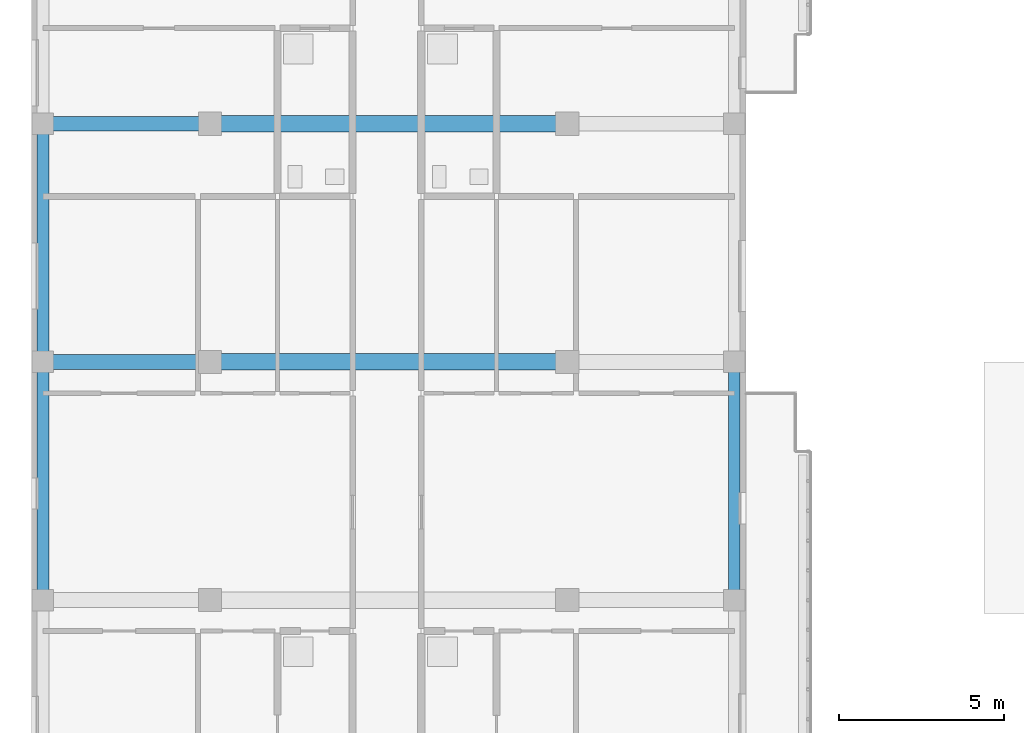
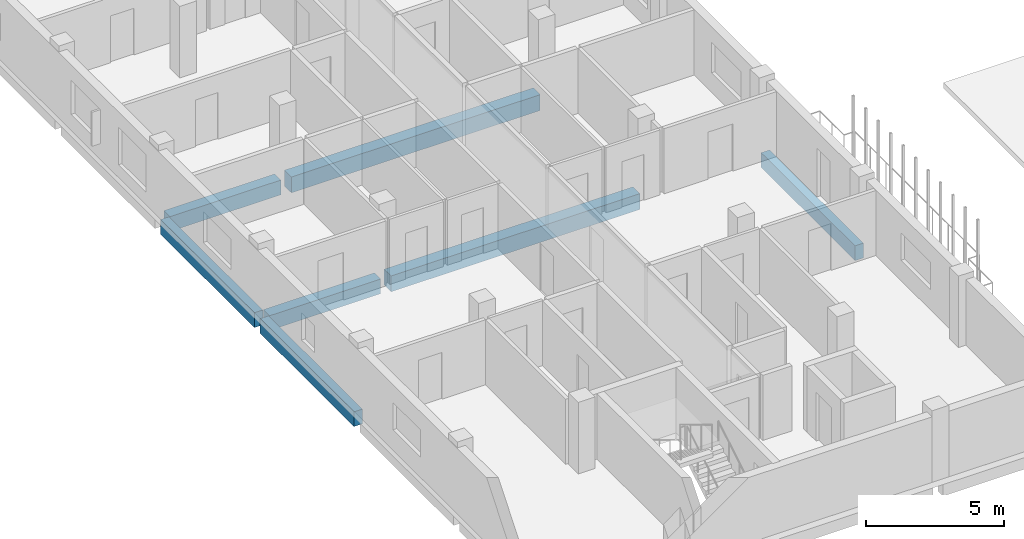
# One storey, part 3 of 51: 7 beams.
"""IFC4 building model written with IfcOpenShell, lengths in metres."""

import ifcopenshell
import ifcopenshell.guid

model = None  # the IFC model being written
_history = None  # IfcOwnerHistory: only IFC2X3 demands one
_inside = {}  # id of a spatial element -> (the spatial element, [elements in it])
_under = {}  # id of a project, library or spatial element -> (it, [spatial elements below it])
_declared = {}  # id of a project -> (the project, [libraries it declares])
_typed = {}  # id of a type object -> (the type object, [elements of that type])
_made_of = {}  # id of a material, layer set ... -> (it, [elements and type objects made of it])


def new_model(schema):
    """Start an empty IFC model of exactly this schema.

    Asked for "IFC4X3", IfcOpenShell would pick the latest addendum, in which some entities
    have other attributes; the version numbers below select the first issue.
    IFC2X3 requires an IfcOwnerHistory on every rooted entity: one is made here for all.
    """
    global model, _history
    if schema == "IFC4X3":
        model = ifcopenshell.file(schema_version=(4, 3, 0, 0))
    else:
        model = ifcopenshell.file(schema=schema)
    _inside.clear()
    _under.clear()
    _declared.clear()
    _typed.clear()
    _made_of.clear()
    _history = None
    if model.schema == "IFC2X3":
        org = make("IfcOrganization", Name="unknown")
        user = make(
            "IfcPersonAndOrganization",
            ThePerson=make("IfcPerson", FamilyName="unknown"),
            TheOrganization=org,
        )
        app = make(
            "IfcApplication",
            ApplicationDeveloper=org,
            Version="unknown",
            ApplicationFullName="unknown",
            ApplicationIdentifier="unknown",
        )
        _history = make(
            "IfcOwnerHistory",
            OwningUser=user,
            OwningApplication=app,
            ChangeAction="ADDED",
            CreationDate=0,
        )
    return model


def make(cls, **values):
    """One entity of the class cls with the attributes given. An attribute that is None is left unset."""
    return model.create_entity(
        cls, **{name: value for name, value in values.items() if value is not None}
    )


def rooted(cls, **values):
    """An entity with a GlobalId (a new one), such as an element, a storey or a relation."""
    return make(cls, GlobalId=ifcopenshell.guid.new(), OwnerHistory=_history, **values)


def si_unit(unit_type, name, prefix=None):
    """IfcSIUnit, for example si_unit("LENGTHUNIT", "METRE", prefix="MILLI")."""
    return make("IfcSIUnit", UnitType=unit_type, Prefix=prefix, Name=name)


def derived_unit(unit_type, elements):
    """IfcDerivedUnit: a product of units, each with its exponent."""
    return make(
        "IfcDerivedUnit",
        Elements=[
            make("IfcDerivedUnitElement", Unit=unit, Exponent=power)
            for unit, power in elements
        ],
        UnitType=unit_type,
    )


def assignment(units):
    """IfcUnitAssignment: the units of a project."""
    return None if units is None else make("IfcUnitAssignment", Units=units)


def point(xyz):
    """IfcCartesianPoint."""
    return None if xyz is None else make("IfcCartesianPoint", Coordinates=xyz)


def direction(xyz):
    """IfcDirection."""
    return None if xyz is None else make("IfcDirection", DirectionRatios=xyz)


def frame(location, z_axis=None, x_axis=None):
    """IfcAxis2Placement3D, a coordinate frame: its origin and axes. An axis left out is left unset."""
    return make(
        "IfcAxis2Placement3D",
        Location=point(location),
        Axis=direction(z_axis),
        RefDirection=direction(x_axis),
    )


def frame_2d(location, x_axis=None):
    """IfcAxis2Placement2D, a coordinate frame in the plane: its origin and x axis."""
    return make(
        "IfcAxis2Placement2D", Location=point(location), RefDirection=direction(x_axis)
    )


def origin():
    """The frame at (0, 0, 0) with its axes left unset."""
    return frame((0.0, 0.0, 0.0))


def origin_2d():
    """The frame at (0, 0) in the plane with its x axis left unset."""
    return frame_2d((0.0, 0.0))


def place(relative_to, where):
    """IfcLocalPlacement: puts the frame where relative to a parent placement (None: the world)."""
    return make(
        "IfcLocalPlacement", PlacementRelTo=relative_to, RelativePlacement=where
    )


def context(
    kind, dimensions, precision=None, world=None, true_north=None, identifier=None
):
    """IfcGeometricRepresentationContext, for example the 3D "Model" context."""
    return make(
        "IfcGeometricRepresentationContext",
        ContextIdentifier=identifier,
        ContextType=kind,
        CoordinateSpaceDimension=dimensions,
        Precision=precision,
        WorldCoordinateSystem=world,
        TrueNorth=true_north,
    )


def subcontext(parent, identifier, kind, view, scale=None):
    """IfcGeometricRepresentationSubContext, for example "Body" below "Model"."""
    return make(
        "IfcGeometricRepresentationSubContext",
        ContextIdentifier=identifier,
        ContextType=kind,
        ParentContext=parent,
        TargetScale=scale,
        TargetView=view,
    )


def project(units=None, contexts=None):
    """IfcProject with its units and contexts."""
    return rooted(
        "IfcProject",
        Name="project",
        RepresentationContexts=contexts,
        UnitsInContext=assignment(units),
    )


def spatial(cls, under=None, at=None, **own):
    """A site, building, storey or space (cls), placed at a placement, below another one or the project."""
    s = rooted(cls, ObjectPlacement=at, **own)
    if under is not None:
        _under.setdefault(under.id(), (under, []))[1].append(s)
    return s


def profile(cls, at=None, kind="AREA", **sizes):
    """A parametric profile (cls). Its sizes go by their IFC names, for example OverallWidth=200.0."""
    return make(cls, ProfileType=kind, Position=at, **sizes)


def rectangle(**sizes):
    """IfcRectangleProfileDef."""
    return profile("IfcRectangleProfileDef", **sizes)


def extrude(swept, where, along, depth):
    """IfcExtrudedAreaSolid: the profile swept, set in the frame where, extruded along a direction by depth."""
    return make(
        "IfcExtrudedAreaSolid",
        SweptArea=swept,
        Position=where,
        ExtrudedDirection=direction(along),
        Depth=depth,
    )


def shape(context_of_items, identifier, shape_type, items):
    """IfcShapeRepresentation: the items that make up one representation, for example the "Body"."""
    return make(
        "IfcShapeRepresentation",
        ContextOfItems=context_of_items,
        RepresentationIdentifier=identifier,
        RepresentationType=shape_type,
        Items=items,
    )


def material(Name=None, Category=None):
    """IfcMaterial."""
    return make("IfcMaterial", Name=Name, Category=Category)


def material_profile(
    of_material, cross_section, Name=None, Category=None, Priority=None
):
    """IfcMaterialProfile: a cross section and its material."""
    return make(
        "IfcMaterialProfile",
        Name=Name,
        Material=of_material,
        Profile=cross_section,
        Priority=Priority,
        Category=Category,
    )


def profile_set(profiles, Name=None, composite=None):
    """IfcMaterialProfileSet."""
    return make(
        "IfcMaterialProfileSet",
        Name=Name,
        MaterialProfiles=profiles,
        CompositeProfile=composite,
    )


def made_of(thing, what):
    """Note that an element or type object is made of a material, layer set ...; save() writes the relation."""
    if what is not None:
        _made_of.setdefault(what.id(), (what, []))[1].append(thing)
    return thing


def type_object(cls, material=None, **own):
    """A type object (cls), such as IfcWallType, which elements share."""
    return made_of(rooted(cls, **own), material)


def element(
    cls,
    number,
    at=None,
    inside=None,
    cuts=None,
    type_object=None,
    material=None,
    context=None,
    identifier="Body",
    shape_type=None,
    held_by="IfcProductDefinitionShape",
    body=None,
    shapes=None,
    **own,
):
    """One element of the class cls, such as IfcWall. Its Tag is "e" and its number.

    at: its placement. inside: the storey or other place that contains it. cuts: it is an
    opening in that element (IfcRelVoidsElement). A single representation is given by context,
    identifier, shape_type and body (its items); several are given by shapes. held_by: the class
    of the entity that holds the representations. save() writes the other relations.
    """
    e = rooted(cls, Tag="e%d" % number, ObjectPlacement=at, **own)
    if body is not None:
        shapes = [shape(context, identifier, shape_type, body)]
    if shapes is not None:
        e.Representation = make(held_by, Representations=shapes)
    if inside is not None:
        _inside.setdefault(inside.id(), (inside, []))[1].append(e)
    if cuts is not None:
        rooted(
            "IfcRelVoidsElement", RelatingBuildingElement=cuts, RelatedOpeningElement=e
        )
    if type_object is not None:
        _typed.setdefault(type_object.id(), (type_object, []))[1].append(e)
    return made_of(e, material)


def aggregate(whole, parts):
    """IfcRelAggregates: a whole, such as a stair, and the parts it consists of."""
    return rooted("IfcRelAggregates", RelatingObject=whole, RelatedObjects=parts)


def save(model, path):
    """Write the relations noted so far, then the file.

    IfcRelAggregates (storeys below a building ...), IfcRelContainedInSpatialStructure (elements
    in a storey), IfcRelDefinesByType, IfcRelAssociatesMaterial and IfcRelDeclares: one each for
    every whole, place, type object, material and project.
    """
    for whole, parts in _under.values():
        aggregate(whole, parts)
    for where, things in _inside.values():
        rooted(
            "IfcRelContainedInSpatialStructure",
            RelatedElements=things,
            RelatingStructure=where,
        )
    for kind, things in _typed.values():
        rooted("IfcRelDefinesByType", RelatedObjects=things, RelatingType=kind)
    for what, things in _made_of.values():
        rooted("IfcRelAssociatesMaterial", RelatedObjects=things, RelatingMaterial=what)
    for by, libraries in _declared.values():
        rooted("IfcRelDeclares", RelatingContext=by, RelatedDefinitions=libraries)
    model.write(path)


model = new_model("IFC4")

# Units and contexts
model_context = context("Model", 3, precision=1e-05, world=origin(), true_north=direction((0.0, 1.0)))
body_context = subcontext(model_context, "Body", "Model", "MODEL_VIEW")
ifc_project = project(units=[si_unit("LENGTHUNIT", "METRE"), si_unit("AREAUNIT", "SQUARE_METRE"), si_unit("VOLUMEUNIT", "CUBIC_METRE"), si_unit("PLANEANGLEUNIT", "RADIAN"), si_unit("MASSUNIT", "GRAM", prefix="KILO"), derived_unit("THERMALTRANSMITTANCEUNIT", [(si_unit("MASSUNIT", "GRAM", prefix="KILO"), 1), (si_unit("TIMEUNIT", "SECOND"), -3), (si_unit("THERMODYNAMICTEMPERATUREUNIT", "KELVIN"), -1)])], contexts=[model_context])

# Site, building, storey
site_placement = place(None, origin())
site = spatial("IfcSite", under=ifc_project, at=site_placement, CompositionType="ELEMENT")
building_placement = place(site_placement, origin())
building = spatial("IfcBuilding", under=site, at=building_placement, Name="Ochrekiln Boulevard Commons", CompositionType="ELEMENT")
storey_placement = place(building_placement, frame((0.0, 0.0, 15.22509765625)))
storey = spatial("IfcBuildingStorey", under=building, at=storey_placement, Name="L04", CompositionType="ELEMENT", Elevation=15.22509765625)

# Beams
ifc_material_1 = material(Name="Concrete C35/45", Category="concrete")
ifc_material_profile_1 = material_profile(ifc_material_1, rectangle(XDim=0.449951171875, YDim=0.64990234375, at=origin_2d()), Name="RC-BM-450x650")
ifc_profile_set_1 = profile_set([ifc_material_profile_1], Name="Concrete C35/45")
beam_type_1 = type_object("IfcBeamType", Name="BM-RC-450x650", PredefinedType="BEAM", material=ifc_profile_set_1)
for number, where, z_axis, x_axis, name in (
    (1, (0.56005859375, 21.60009765625, -0.585205078125), (1.0, 0.0, 0.0), (0.0, 1.0, 0.0), "Block D L04 Beam B-4565 X9"),
    (2, (0.56005859375, 28.800048828125, -0.585205078125), (1.0, 0.0, 0.0), (0.0, 1.0, 0.0), "Block D L04 Beam B-4565 X12"),
):
    element("IfcBeam", number, at=place(storey_placement, frame(where, z_axis=z_axis, x_axis=x_axis)), inside=storey, type_object=beam_type_1, Name=name, PredefinedType="BEAM", context=body_context, shape_type="SweptSolid", body=[
        extrude(rectangle(XDim=0.449951171875, YDim=0.64990234375, at=origin_2d()), origin(), (0.0, 0.0, 1.0), 4.6298828125),
    ])
ifc_material_2 = material(Name="Concrete C40/50", Category="concrete")
ifc_material_profile_2 = material_profile(ifc_material_2, rectangle(XDim=0.5, YDim=0.699951171875, at=origin_2d()), Name="RC-BM-500x700")
ifc_profile_set_2 = profile_set([ifc_material_profile_2], Name="Concrete C40/50")
beam_type_2 = type_object("IfcBeamType", Name="BM-RC-500x700", PredefinedType="BEAM", material=ifc_profile_set_2)
for number, where, z_axis, x_axis, name in (
    (3, (5.610107421875, 21.60009765625, -0.610107421875), (1.0, 0.0, 0.0), (0.0, 1.0, 0.0), "Block D L04 Beam B-5070 X10"),
    (4, (5.610107421875, 28.800048828125, -0.610107421875), (1.0, 0.0, 0.0), (0.0, 1.0, 0.0), "Block D L04 Beam B-5070 X13"),
):
    element("IfcBeam", number, at=place(storey_placement, frame(where, z_axis=z_axis, x_axis=x_axis)), inside=storey, type_object=beam_type_2, Name=name, PredefinedType="BEAM", context=body_context, shape_type="SweptSolid", body=[
        extrude(rectangle(XDim=0.5, YDim=0.699951171875, at=origin_2d()), origin(), (0.0, 0.0, 1.0), 10.3798828125),
    ])
ifc_material_profile_3 = material_profile(ifc_material_2, rectangle(XDim=0.35009765625, YDim=0.64990234375, at=origin_2d()), Name="RC-SPN-350x650")
ifc_profile_set_3 = profile_set([ifc_material_profile_3], Name="Concrete C40/50")
beam_type_3 = type_object("IfcBeamType", Name="SPN-RC-350x650", PredefinedType="SPANDREL", material=ifc_profile_set_3)
beam_1_placement = place(storey_placement, frame((0.35009765625, 14.610107421875, -0.585205078125), z_axis=(0.0, 1.0, 0.0), x_axis=(-1.0, 0.0, 0.0)))
element("IfcBeam", 5, at=beam_1_placement, inside=storey, type_object=beam_type_3, Name="Block D L04 Beam SP-3565 Y25", PredefinedType="SPANDREL", context=body_context, shape_type="SweptSolid", body=[
    extrude(rectangle(XDim=0.35009765625, YDim=0.64990234375, at=origin_2d()), origin(), (0.0, 0.0, 1.0), 6.77978515625),
])
beam_2_placement = place(storey_placement, frame((0.35009765625, 21.81005859375, -0.585205078125), z_axis=(0.0, 1.0, 0.0), x_axis=(-1.0, 0.0, 0.0)))
element("IfcBeam", 6, at=beam_2_placement, inside=storey, type_object=beam_type_3, Name="Block D L04 Beam SP-3565 Y26", PredefinedType="SPANDREL", context=body_context, shape_type="SweptSolid", body=[
    extrude(rectangle(XDim=0.35009765625, YDim=0.64990234375, at=origin_2d()), origin(), (0.0, 0.0, 1.0), 6.780029296875),
])
beam_3_placement = place(storey_placement, frame((21.25, 14.610107421875, -0.585205078125), z_axis=(0.0, 1.0, 0.0), x_axis=(-1.0, 0.0, 0.0)))
element("IfcBeam", 7, at=beam_3_placement, inside=storey, type_object=beam_type_3, Name="Block D L04 Beam SP-3565 Y32", PredefinedType="SPANDREL", context=body_context, shape_type="SweptSolid", body=[
    extrude(rectangle(XDim=0.35009765625, YDim=0.64990234375, at=origin_2d()), origin(), (0.0, 0.0, 1.0), 6.77978515625),
])

save(model, "model.ifc")
